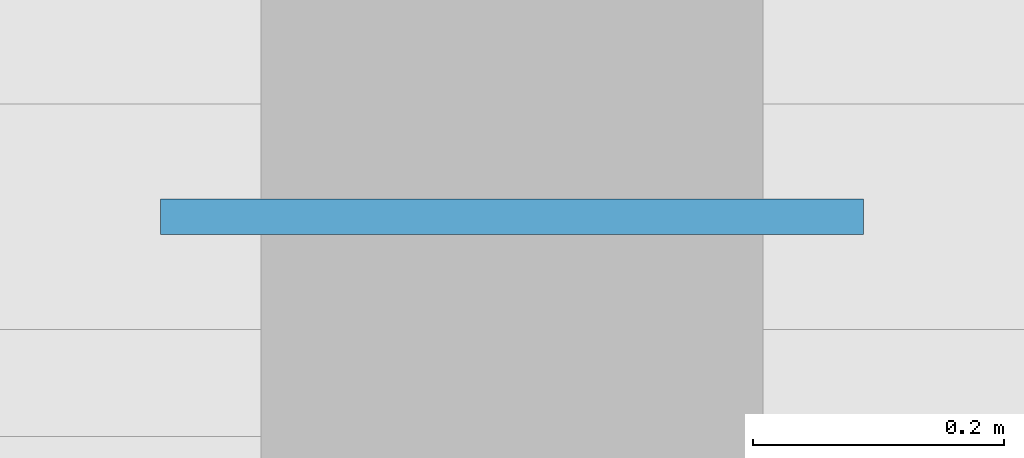
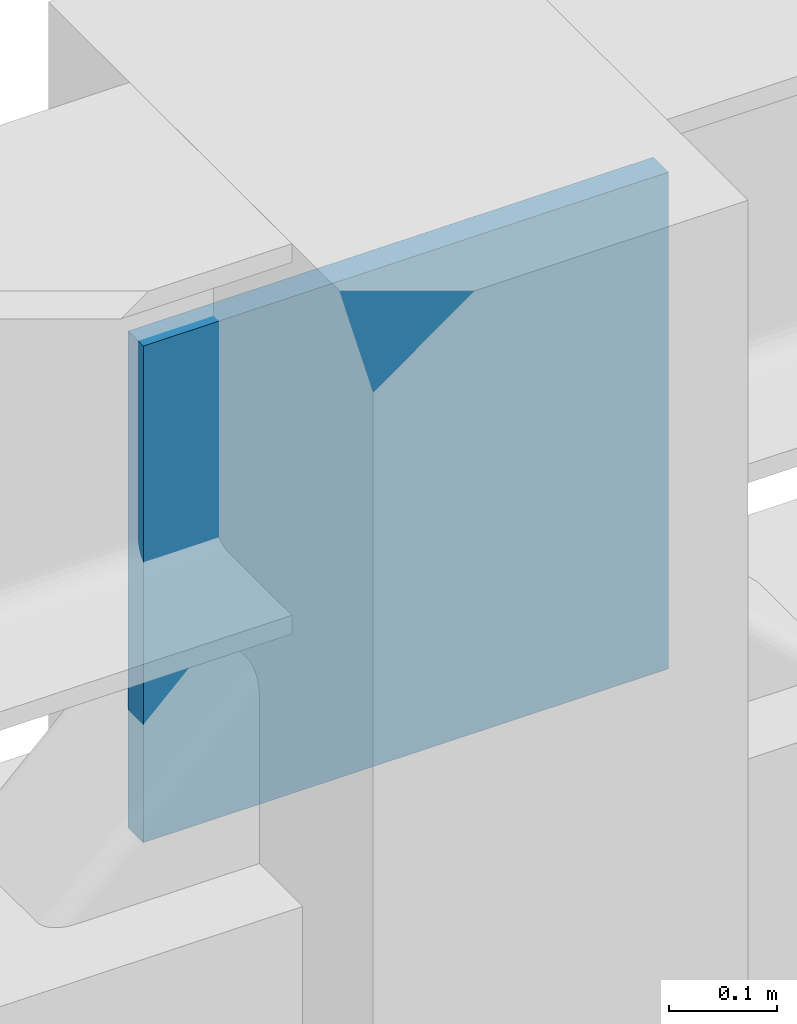
# One storey, part 56 of 93: 1 plate.
"""IFC4 building model written with IfcOpenShell, lengths in metres."""

from ifc_helpers import new_model, si_unit, derived_unit, direction, frame, origin, origin_2d, place, context, subcontext, project, spatial, rectangle, extrude, material, layer, layer_set, type_object, element, save


model = new_model("IFC4")

# Units and contexts
model_context = context("Model", 3, precision=1e-05, world=origin(), true_north=direction((0.0, 1.0)))
body_context = subcontext(model_context, "Body", "Model", "MODEL_VIEW")
ifc_project = project(units=[si_unit("LENGTHUNIT", "METRE"), si_unit("AREAUNIT", "SQUARE_METRE"), si_unit("VOLUMEUNIT", "CUBIC_METRE"), si_unit("PLANEANGLEUNIT", "RADIAN"), si_unit("MASSUNIT", "GRAM", prefix="KILO"), derived_unit("THERMALTRANSMITTANCEUNIT", [(si_unit("MASSUNIT", "GRAM", prefix="KILO"), 1), (si_unit("TIMEUNIT", "SECOND"), -3), (si_unit("THERMODYNAMICTEMPERATUREUNIT", "KELVIN"), -1)])], contexts=[model_context])

# Site, building, storey
site_placement = place(None, origin())
site = spatial("IfcSite", under=ifc_project, at=site_placement, CompositionType="ELEMENT")
building_placement = place(site_placement, origin())
building = spatial("IfcBuilding", under=site, at=building_placement, Name="Kharveza Railside Sports Centre", CompositionType="ELEMENT")
storey_placement = place(building_placement, origin())
storey = spatial("IfcBuildingStorey", under=building, at=storey_placement, Name="L00", CompositionType="ELEMENT", Elevation=0.0)

# Plate
ifc_material = material(Name="Steel S355J2", Category="steel")
ifc_layer = layer(ifc_material, 0.028076171875, Name="Steel S355J2")
ifc_layer_set = layer_set([ifc_layer], Name="Steel S355J2")
plate_type = type_object("IfcPlateType", Name="PL-GS05", PredefinedType="USERDEFINED", material=ifc_layer_set)
plate_placement = place(storey_placement, frame((138.60009765625, 108.0, 3.77001953125), z_axis=(0.0, 0.0, 1.0), x_axis=(1.0, 0.0, 0.0)))
element("IfcPlate", 1, at=plate_placement, inside=storey, type_object=plate_type, Name="PLT-GS-CHEV-007", ObjectType="GUSSET_PLATE", PredefinedType="USERDEFINED", context=body_context, shape_type="SweptSolid", body=[
    extrude(rectangle(XDim=0.56005859375, YDim=0.028076171875, at=origin_2d()), origin(), (0.0, 0.0, 1.0), 0.56005859375),
])

save(model, "model.ifc")
